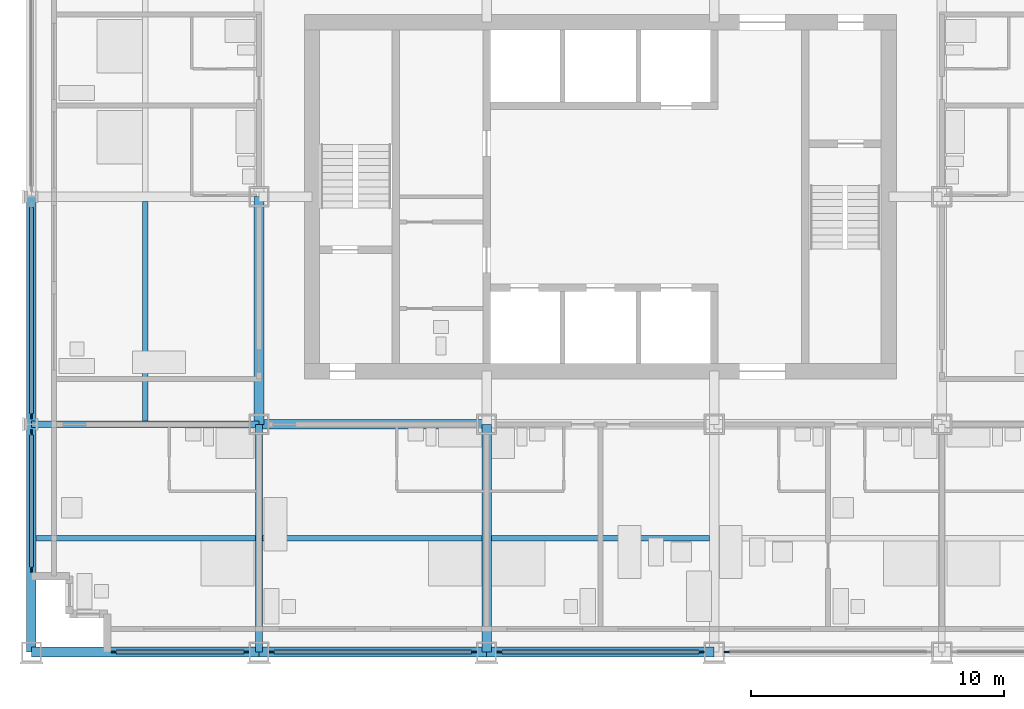
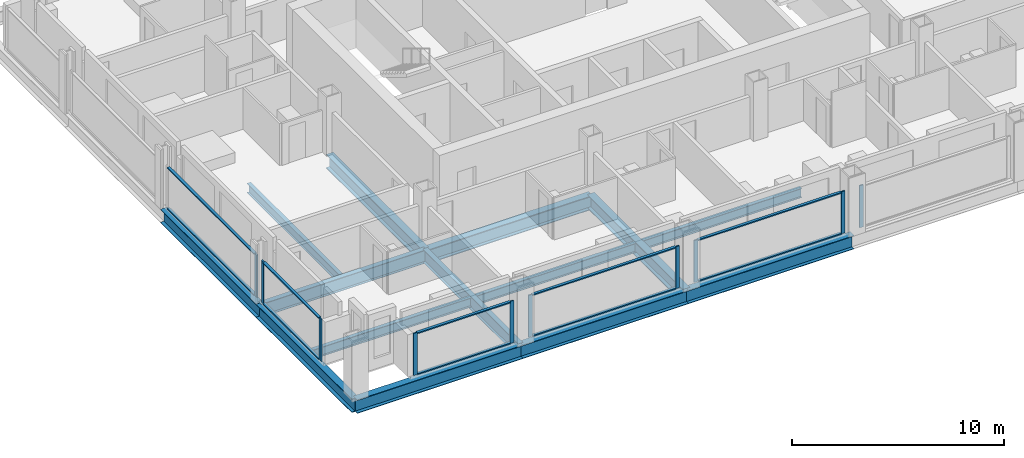
# One storey, part 2 of 16: 20 members, 14 beams, 6 elements without a shape of their own.
"""IFC4 building model written with IfcOpenShell, lengths in metres."""

from ifc_helpers import new_model, si_unit, direction, frame, origin, origin_2d, place, context, subcontext, project, spatial, rectangle, i_section, extrude, material, material_profile, profile_set, type_object, element, aggregate, save


model = new_model("IFC4")

# Units and contexts
model_context = context("Model", 3, precision=1e-05, world=origin(), true_north=direction((0.0, 1.0)))
body_context = subcontext(model_context, "Body", "Model", "MODEL_VIEW")
ifc_project = project(units=[si_unit("LENGTHUNIT", "METRE"), si_unit("AREAUNIT", "SQUARE_METRE"), si_unit("VOLUMEUNIT", "CUBIC_METRE"), si_unit("PLANEANGLEUNIT", "RADIAN"), si_unit("MASSUNIT", "GRAM", prefix="KILO")], contexts=[model_context])

# Site, building, storey
site_placement = place(None, origin())
site = spatial("IfcSite", under=ifc_project, at=site_placement, CompositionType="ELEMENT")
building_placement = place(site_placement, origin())
building = spatial("IfcBuilding", under=site, at=building_placement, Name="Loomwork Tower", CompositionType="ELEMENT")
storey_placement = place(building_placement, frame((0.0, 0.0, 148.60009765625)))
storey = spatial("IfcBuildingStorey", under=building, at=storey_placement, Name="L40", CompositionType="ELEMENT", Elevation=148.60009765625)

# Beams
ifc_material_1 = material(Name="Steel ASTM A992", Category="steel")
ifc_material_profile_1 = material_profile(ifc_material_1, i_section(OverallWidth=0.383544921875, OverallDepth=0.794921875, WebThickness=0.02099609375, FlangeThickness=0.0380859375, at=origin_2d()), Name="W30x235")
ifc_profile_set_1 = profile_set([ifc_material_profile_1], Name="Steel ASTM A992")
beam_type_1 = type_object("IfcBeamType", Name="CORE FLANK GIRDER W30x235", PredefinedType="BEAM", material=ifc_profile_set_1)
for number, where, z_axis, x_axis, name in (
    (1, (9.0, 9.0, -0.59765625), (1.0, 0.0, 0.0), (0.0, 1.0, 0.0), "Core Flank Girder E/3-E/4 L40"),
    (2, (9.0, 9.0, -0.59765625), (0.0, 1.0, 0.0), (-1.0, 0.0, 0.0), "Core Flank Girder E/3-F/3 L40"),
    (3, (18.0, 0.0, -0.59765625), (0.0, 1.0, 0.0), (-1.0, 0.0, 0.0), "Core Flank Girder D/4-E/4 L40"),
):
    element("IfcBeam", number, at=place(storey_placement, frame(where, z_axis=z_axis, x_axis=x_axis)), inside=storey, type_object=beam_type_1, Name=name, PredefinedType="BEAM", context=body_context, shape_type="SweptSolid", body=[
        extrude(i_section(OverallWidth=0.383544921875, OverallDepth=0.794921875, WebThickness=0.02099609375, FlangeThickness=0.0380859375, at=origin_2d()), origin(), (0.0, 0.0, 1.0), 9.0),
    ])
ifc_material_2 = material(Name="Steel ASTM A992", Category="steel")
ifc_material_profile_2 = material_profile(ifc_material_2, i_section(OverallWidth=0.2666015625, OverallDepth=0.761962890625, WebThickness=0.014404296875, FlangeThickness=0.021484375, at=origin_2d()), Name="W30x116")
ifc_profile_set_2 = profile_set([ifc_material_profile_2], Name="Steel ASTM A992")
beam_type_2 = type_object("IfcBeamType", Name="FLOOR GIRDER W30x116", PredefinedType="BEAM", material=ifc_profile_set_2)
for number, where, z_axis, x_axis, name in (
    (4, (0.0, 9.0, -0.5810546875), (1.0, 0.0, 0.0), (0.0, 1.0, 0.0), "Floor Girder E/2-E/3 L40"),
    (5, (9.0, 0.0, -0.5810546875), (0.0, 1.0, 0.0), (-1.0, 0.0, 0.0), "Floor Girder D/3-E/3 L40"),
):
    element("IfcBeam", number, at=place(storey_placement, frame(where, z_axis=z_axis, x_axis=x_axis)), inside=storey, type_object=beam_type_2, Name=name, PredefinedType="BEAM", context=body_context, shape_type="SweptSolid", body=[
        extrude(i_section(OverallWidth=0.2666015625, OverallDepth=0.761962890625, WebThickness=0.014404296875, FlangeThickness=0.021484375, at=origin_2d()), origin(), (0.0, 0.0, 1.0), 9.0),
    ])
ifc_material_3 = material(Name="Steel ASTM A992", Category="steel")
ifc_material_profile_3 = material_profile(ifc_material_3, i_section(OverallWidth=0.2109375, OverallDepth=0.53857421875, WebThickness=0.011474609375, FlangeThickness=0.018798828125, at=origin_2d()), Name="W21x73")
ifc_profile_set_3 = profile_set([ifc_material_profile_3], Name="Steel ASTM A992")
beam_type_3 = type_object("IfcBeamType", Name="FLOOR JOIST W21x73", PredefinedType="JOIST", material=ifc_profile_set_3)
beam_1_placement = place(storey_placement, frame((0.18994140625, 4.5, -0.46923828125), z_axis=(1.0, 0.0, 0.0), x_axis=(0.0, 1.0, 0.0)))
element("IfcBeam", 6, at=beam_1_placement, inside=storey, type_object=beam_type_3, Name="Floor Joist 0.000,4.500-9.000,4.500 L40", PredefinedType="JOIST", context=body_context, shape_type="SweptSolid", body=[
    extrude(i_section(OverallWidth=0.2109375, OverallDepth=0.53857421875, WebThickness=0.011474609375, FlangeThickness=0.018798828125, at=origin_2d()), origin(), (0.0, 0.0, 1.0), 8.677001953125),
])
for number, where, z_axis, x_axis, name in (
    (7, (4.5, 9.133056640625, -0.46923828125), (0.0, 1.0, 0.0), (-1.0, 0.0, 0.0), "Floor Joist 4.500,9.000-4.500,18.000 L40"),
    (8, (9.133056640625, 4.5, -0.46923828125), (1.0, 0.0, 0.0), (0.0, 1.0, 0.0), "Floor Joist 9.000,4.500-18.000,4.500 L40"),
):
    element("IfcBeam", number, at=place(storey_placement, frame(where, z_axis=z_axis, x_axis=x_axis)), inside=storey, type_object=beam_type_3, Name=name, PredefinedType="JOIST", context=body_context, shape_type="SweptSolid", body=[
        extrude(i_section(OverallWidth=0.2109375, OverallDepth=0.53857421875, WebThickness=0.011474609375, FlangeThickness=0.018798828125, at=origin_2d()), origin(), (0.0, 0.0, 1.0), 8.676025390625),
    ])
beam_2_placement = place(storey_placement, frame((18.19091796875, 4.5, -0.46923828125), z_axis=(1.0, 0.0, 0.0), x_axis=(0.0, 1.0, 0.0)))
element("IfcBeam", 9, at=beam_2_placement, inside=storey, type_object=beam_type_3, Name="Floor Joist 18.000,4.500-27.000,4.500 L40", PredefinedType="JOIST", context=body_context, shape_type="SweptSolid", body=[
    extrude(i_section(OverallWidth=0.2109375, OverallDepth=0.53857421875, WebThickness=0.011474609375, FlangeThickness=0.018798828125, at=origin_2d()), origin(), (0.0, 0.0, 1.0), 8.6181640625),
])

# Curtain wall, members
ifc_material_4 = material(Name="Aluminium curtain wall frame", Category="aluminium")
curtain_wall_type = type_object("IfcCurtainWallType", Name="Outer skin glazing hotel", PredefinedType="NOTDEFINED", material=ifc_material_4)
curtain_wall_1_placement = place(storey_placement, origin())
curtain_wall_1 = element("IfcCurtainWall", 10, at=curtain_wall_1_placement, inside=storey, type_object=curtain_wall_type, Name="Outer skin glazing hotel cw/S-0", PredefinedType="NOTDEFINED")
ifc_material_5 = material(Name="Aluminium curtain wall frame", Category="aluminium")
ifc_material_profile_4 = material_profile(ifc_material_5, rectangle(XDim=0.06494140625, YDim=0.199951171875, at=origin_2d()), Name="AL 65x200")
ifc_profile_set_4 = profile_set([ifc_material_profile_4], Name="Aluminium curtain wall frame")
member_type_1 = type_object("IfcMemberType", Name="Outer skin glazing hotel mullion", PredefinedType="MULLION", material=ifc_profile_set_4)
member_1_placement = place(storey_placement, frame((3.25, 0.0, 0.0), z_axis=(0.0, 0.0, 1.0), x_axis=(0.0, 1.0, 0.0)))
member_1 = element("IfcMember", 11, at=member_1_placement, type_object=member_type_1, Name="CW1 mullion 1", PredefinedType="MULLION", context=body_context, shape_type="SweptSolid", body=[
    extrude(rectangle(XDim=0.06494140625, YDim=0.199951171875, at=origin_2d()), origin(), (0.0, 0.0, 1.0), 2.420166015625),
])
member_2_placement = place(storey_placement, frame((8.5, 0.0, 0.0), z_axis=(0.0, 0.0, 1.0), x_axis=(0.0, 1.0, 0.0)))
member_2 = element("IfcMember", 12, at=member_2_placement, type_object=member_type_1, Name="CW1 mullion 2", PredefinedType="MULLION", context=body_context, shape_type="SweptSolid", body=[
    extrude(rectangle(XDim=0.06494140625, YDim=0.199951171875, at=origin_2d()), origin(), (0.0, 0.0, 1.0), 2.420166015625),
])

curtain_wall_2_placement = place(storey_placement, origin())
curtain_wall_2 = element("IfcCurtainWall", 13, at=curtain_wall_2_placement, inside=storey, type_object=curtain_wall_type, Name="Outer skin glazing hotel cw/S-9", PredefinedType="NOTDEFINED")
member_3_placement = place(storey_placement, frame((9.5, 0.0, 0.0), z_axis=(0.0, 0.0, 1.0), x_axis=(0.0, 1.0, 0.0)))
member_3 = element("IfcMember", 14, at=member_3_placement, type_object=member_type_1, Name="CW1 mullion 1", PredefinedType="MULLION", context=body_context, shape_type="SweptSolid", body=[
    extrude(rectangle(XDim=0.06494140625, YDim=0.199951171875, at=origin_2d()), origin(), (0.0, 0.0, 1.0), 2.420166015625),
])
member_4_placement = place(storey_placement, frame((17.5, 0.0, 0.0), z_axis=(0.0, 0.0, 1.0), x_axis=(0.0, 1.0, 0.0)))
member_4 = element("IfcMember", 15, at=member_4_placement, type_object=member_type_1, Name="CW1 mullion 2", PredefinedType="MULLION", context=body_context, shape_type="SweptSolid", body=[
    extrude(rectangle(XDim=0.06494140625, YDim=0.199951171875, at=origin_2d()), origin(), (0.0, 0.0, 1.0), 2.420166015625),
])

curtain_wall_3_placement = place(storey_placement, origin())
curtain_wall_3 = element("IfcCurtainWall", 16, at=curtain_wall_3_placement, inside=storey, type_object=curtain_wall_type, Name="Outer skin glazing hotel cw/S-18", PredefinedType="NOTDEFINED")
member_5_placement = place(storey_placement, frame((18.5, 0.0, 0.0), z_axis=(0.0, 0.0, 1.0), x_axis=(0.0, 1.0, 0.0)))
member_5 = element("IfcMember", 17, at=member_5_placement, type_object=member_type_1, Name="CW1 mullion 1", PredefinedType="MULLION", context=body_context, shape_type="SweptSolid", body=[
    extrude(rectangle(XDim=0.06494140625, YDim=0.199951171875, at=origin_2d()), origin(), (0.0, 0.0, 1.0), 2.420166015625),
])
member_6_placement = place(storey_placement, frame((26.5, 0.0, 0.0), z_axis=(0.0, 0.0, 1.0), x_axis=(0.0, 1.0, 0.0)))
member_6 = element("IfcMember", 18, at=member_6_placement, type_object=member_type_1, Name="CW1 mullion 2", PredefinedType="MULLION", context=body_context, shape_type="SweptSolid", body=[
    extrude(rectangle(XDim=0.06494140625, YDim=0.199951171875, at=origin_2d()), origin(), (0.0, 0.0, 1.0), 2.420166015625),
])

# Curtain wall, member
curtain_wall_4_placement = place(storey_placement, origin())
curtain_wall_4 = element("IfcCurtainWall", 19, at=curtain_wall_4_placement, inside=storey, type_object=curtain_wall_type, Name="Outer skin glazing hotel cw/S-27", PredefinedType="NOTDEFINED")
member_7_placement = place(storey_placement, frame((27.5, 0.0, 0.0), z_axis=(0.0, 0.0, 1.0), x_axis=(0.0, 1.0, 0.0)))
member_7 = element("IfcMember", 20, at=member_7_placement, type_object=member_type_1, Name="CW1 mullion 1", PredefinedType="MULLION", context=body_context, shape_type="SweptSolid", body=[
    extrude(rectangle(XDim=0.06494140625, YDim=0.199951171875, at=origin_2d()), origin(), (0.0, 0.0, 1.0), 2.420166015625),
])
aggregate(curtain_wall_4, [member_7])

# Curtain wall, members
curtain_wall_5_placement = place(storey_placement, origin())
curtain_wall_5 = element("IfcCurtainWall", 21, at=curtain_wall_5_placement, inside=storey, type_object=curtain_wall_type, Name="Outer skin glazing hotel cw/W-0", PredefinedType="NOTDEFINED")
member_8_placement = place(storey_placement, frame((0.0, 8.678955078125, 0.0), z_axis=(0.0, 0.0, 1.0), x_axis=(1.0, 0.0, 0.0)))
member_8 = element("IfcMember", 22, at=member_8_placement, type_object=member_type_1, Name="CW1 mullion 1", PredefinedType="MULLION", context=body_context, shape_type="SweptSolid", body=[
    extrude(rectangle(XDim=0.06494140625, YDim=0.199951171875, at=origin_2d()), origin(), (0.0, 0.0, 1.0), 2.420166015625),
])
member_9_placement = place(storey_placement, frame((0.0, 3.25, 0.0), z_axis=(0.0, 0.0, 1.0), x_axis=(1.0, 0.0, 0.0)))
member_9 = element("IfcMember", 23, at=member_9_placement, type_object=member_type_1, Name="CW1 mullion 2", PredefinedType="MULLION", context=body_context, shape_type="SweptSolid", body=[
    extrude(rectangle(XDim=0.06494140625, YDim=0.199951171875, at=origin_2d()), origin(), (0.0, 0.0, 1.0), 2.420166015625),
])

# Curtain wall, member
curtain_wall_6_placement = place(storey_placement, origin())
curtain_wall_6 = element("IfcCurtainWall", 24, at=curtain_wall_6_placement, inside=storey, type_object=curtain_wall_type, Name="Outer skin glazing hotel cw/W-9", PredefinedType="NOTDEFINED")
member_10_placement = place(storey_placement, frame((0.0, 9.321044921875, 0.0), z_axis=(0.0, 0.0, 1.0), x_axis=(1.0, 0.0, 0.0)))
member_10 = element("IfcMember", 25, at=member_10_placement, type_object=member_type_1, Name="CW1 mullion 2", PredefinedType="MULLION", context=body_context, shape_type="SweptSolid", body=[
    extrude(rectangle(XDim=0.06494140625, YDim=0.199951171875, at=origin_2d()), origin(), (0.0, 0.0, 1.0), 2.420166015625),
])

# Member
ifc_material_6 = material(Name="Aluminium curtain wall frame", Category="aluminium")
ifc_material_profile_5 = material_profile(ifc_material_6, rectangle(XDim=0.14990234375, YDim=0.06494140625, at=origin_2d()), Name="AL 65x150")
ifc_profile_set_5 = profile_set([ifc_material_profile_5], Name="Aluminium curtain wall frame")
member_type_2 = type_object("IfcMemberType", Name="Outer skin glazing hotel transom", PredefinedType="USERDEFINED", material=ifc_profile_set_5)
member_11_placement = place(storey_placement, frame((3.35009765625, 0.0, 0.032470703125), z_axis=(1.0, 0.0, 0.0), x_axis=(0.0, 1.0, 0.0)))
member_11 = element("IfcMember", 26, at=member_11_placement, type_object=member_type_2, Name="CW1 transom 1.1", ObjectType="TRANSOM", PredefinedType="USERDEFINED", context=body_context, shape_type="SweptSolid", body=[
    extrude(rectangle(XDim=0.14990234375, YDim=0.06494140625, at=origin_2d()), origin(), (0.0, 0.0, 1.0), 5.0498046875),
])

member_12_placement = place(storey_placement, frame((3.35009765625, 0.0, 2.3876953125), z_axis=(1.0, 0.0, 0.0), x_axis=(0.0, 1.0, 0.0)))
member_12 = element("IfcMember", 27, at=member_12_placement, type_object=member_type_2, Name="CW1 transom 1.2", ObjectType="TRANSOM", PredefinedType="USERDEFINED", context=body_context, shape_type="SweptSolid", body=[
    extrude(rectangle(XDim=0.14990234375, YDim=0.06494140625, at=origin_2d()), origin(), (0.0, 0.0, 1.0), 5.0498046875),
])

aggregate(curtain_wall_1, [member_1, member_2, member_11, member_12])

member_13_placement = place(storey_placement, frame((9.60009765625, 0.0, 0.032470703125), z_axis=(1.0, 0.0, 0.0), x_axis=(0.0, 1.0, 0.0)))
member_13 = element("IfcMember", 28, at=member_13_placement, type_object=member_type_2, Name="CW1 transom 1.1", ObjectType="TRANSOM", PredefinedType="USERDEFINED", context=body_context, shape_type="SweptSolid", body=[
    extrude(rectangle(XDim=0.14990234375, YDim=0.06494140625, at=origin_2d()), origin(), (0.0, 0.0, 1.0), 7.7998046875),
])

member_14_placement = place(storey_placement, frame((9.60009765625, 0.0, 2.3876953125), z_axis=(1.0, 0.0, 0.0), x_axis=(0.0, 1.0, 0.0)))
member_14 = element("IfcMember", 29, at=member_14_placement, type_object=member_type_2, Name="CW1 transom 1.2", ObjectType="TRANSOM", PredefinedType="USERDEFINED", context=body_context, shape_type="SweptSolid", body=[
    extrude(rectangle(XDim=0.14990234375, YDim=0.06494140625, at=origin_2d()), origin(), (0.0, 0.0, 1.0), 7.7998046875),
])

aggregate(curtain_wall_2, [member_3, member_4, member_13, member_14])

member_15_placement = place(storey_placement, frame((18.60009765625, 0.0, 0.032470703125), z_axis=(1.0, 0.0, 0.0), x_axis=(0.0, 1.0, 0.0)))
member_15 = element("IfcMember", 30, at=member_15_placement, type_object=member_type_2, Name="CW1 transom 1.1", ObjectType="TRANSOM", PredefinedType="USERDEFINED", context=body_context, shape_type="SweptSolid", body=[
    extrude(rectangle(XDim=0.14990234375, YDim=0.06494140625, at=origin_2d()), origin(), (0.0, 0.0, 1.0), 7.7998046875),
])

member_16_placement = place(storey_placement, frame((18.60009765625, 0.0, 2.3876953125), z_axis=(1.0, 0.0, 0.0), x_axis=(0.0, 1.0, 0.0)))
member_16 = element("IfcMember", 31, at=member_16_placement, type_object=member_type_2, Name="CW1 transom 1.2", ObjectType="TRANSOM", PredefinedType="USERDEFINED", context=body_context, shape_type="SweptSolid", body=[
    extrude(rectangle(XDim=0.14990234375, YDim=0.06494140625, at=origin_2d()), origin(), (0.0, 0.0, 1.0), 7.7998046875),
])

aggregate(curtain_wall_3, [member_5, member_6, member_15, member_16])

member_17_placement = place(storey_placement, frame((0.0, 8.5791015625, 0.032470703125), z_axis=(0.0, -1.0, 0.0), x_axis=(1.0, 0.0, 0.0)))
member_17 = element("IfcMember", 32, at=member_17_placement, type_object=member_type_2, Name="CW1 transom 1.1", ObjectType="TRANSOM", PredefinedType="USERDEFINED", context=body_context, shape_type="SweptSolid", body=[
    extrude(rectangle(XDim=0.14990234375, YDim=0.06494140625, at=origin_2d()), origin(), (0.0, 0.0, 1.0), 5.22900390625),
])

member_18_placement = place(storey_placement, frame((0.0, 8.5791015625, 2.3876953125), z_axis=(0.0, -1.0, 0.0), x_axis=(1.0, 0.0, 0.0)))
member_18 = element("IfcMember", 33, at=member_18_placement, type_object=member_type_2, Name="CW1 transom 1.2", ObjectType="TRANSOM", PredefinedType="USERDEFINED", context=body_context, shape_type="SweptSolid", body=[
    extrude(rectangle(XDim=0.14990234375, YDim=0.06494140625, at=origin_2d()), origin(), (0.0, 0.0, 1.0), 5.22900390625),
])

aggregate(curtain_wall_5, [member_8, member_9, member_17, member_18])

member_19_placement = place(storey_placement, frame((0.0, 17.5791015625, 0.032470703125), z_axis=(0.0, -1.0, 0.0), x_axis=(1.0, 0.0, 0.0)))
member_19 = element("IfcMember", 34, at=member_19_placement, type_object=member_type_2, Name="CW1 transom 1.1", ObjectType="TRANSOM", PredefinedType="USERDEFINED", context=body_context, shape_type="SweptSolid", body=[
    extrude(rectangle(XDim=0.14990234375, YDim=0.06494140625, at=origin_2d()), origin(), (0.0, 0.0, 1.0), 8.158203125),
])

member_20_placement = place(storey_placement, frame((0.0, 17.5791015625, 2.3876953125), z_axis=(0.0, -1.0, 0.0), x_axis=(1.0, 0.0, 0.0)))
member_20 = element("IfcMember", 35, at=member_20_placement, type_object=member_type_2, Name="CW1 transom 1.2", ObjectType="TRANSOM", PredefinedType="USERDEFINED", context=body_context, shape_type="SweptSolid", body=[
    extrude(rectangle(XDim=0.14990234375, YDim=0.06494140625, at=origin_2d()), origin(), (0.0, 0.0, 1.0), 8.158203125),
])

aggregate(curtain_wall_6, [member_10, member_19, member_20])

# Beams
ifc_material_7 = material(Name="Steel ASTM A992", Category="steel")
ifc_material_profile_6 = material_profile(ifc_material_7, i_section(OverallWidth=0.381103515625, OverallDepth=0.77978515625, WebThickness=0.01806640625, FlangeThickness=0.0302734375, at=origin_2d()), Name="W30x191")
ifc_profile_set_6 = profile_set([ifc_material_profile_6], Name="Steel ASTM A992")
beam_type_4 = type_object("IfcBeamType", Name="SPANDREL GIRDER W30x191", PredefinedType="SPANDREL", material=ifc_profile_set_6)
for number, where, z_axis, x_axis, name in (
    (36, (0.0, 0.0, -0.590087890625), (1.0, 0.0, 0.0), (0.0, 1.0, 0.0), "Spandrel Girder D/2-D/3 L40"),
    (37, (9.0, 0.0, -0.590087890625), (1.0, 0.0, 0.0), (0.0, 1.0, 0.0), "Spandrel Girder D/3-D/4 L40"),
    (38, (18.0, 0.0, -0.590087890625), (1.0, 0.0, 0.0), (0.0, 1.0, 0.0), "Spandrel Girder D/4-D/5 L40"),
    (39, (0.0, 0.0, -0.590087890625), (0.0, 1.0, 0.0), (-1.0, 0.0, 0.0), "Spandrel Girder D/2-E/2 L40"),
    (40, (0.0, 9.0, -0.590087890625), (0.0, 1.0, 0.0), (-1.0, 0.0, 0.0), "Spandrel Girder E/2-F/2 L40"),
):
    element("IfcBeam", number, at=place(storey_placement, frame(where, z_axis=z_axis, x_axis=x_axis)), inside=storey, type_object=beam_type_4, Name=name, PredefinedType="SPANDREL", context=body_context, shape_type="SweptSolid", body=[
        extrude(i_section(OverallWidth=0.381103515625, OverallDepth=0.77978515625, WebThickness=0.01806640625, FlangeThickness=0.0302734375, at=origin_2d()), origin(), (0.0, 0.0, 1.0), 9.0),
    ])

save(model, "model.ifc")
